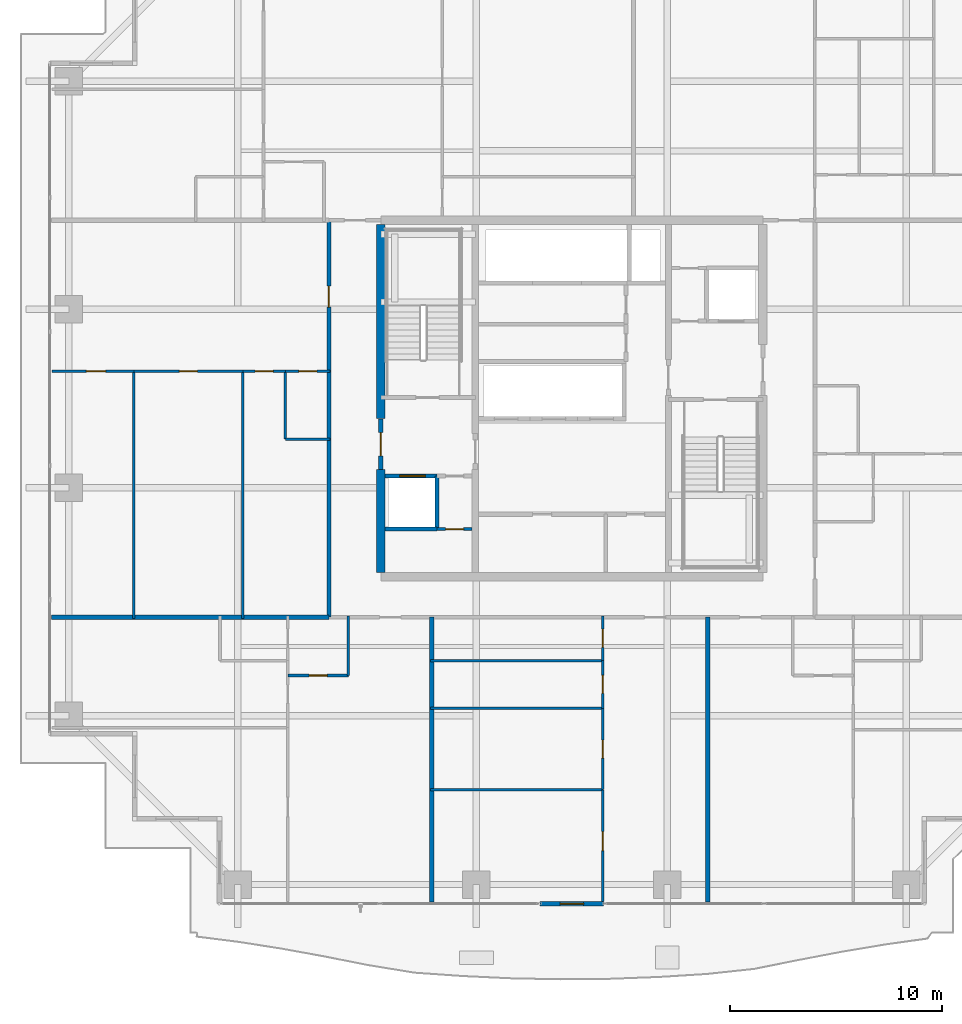
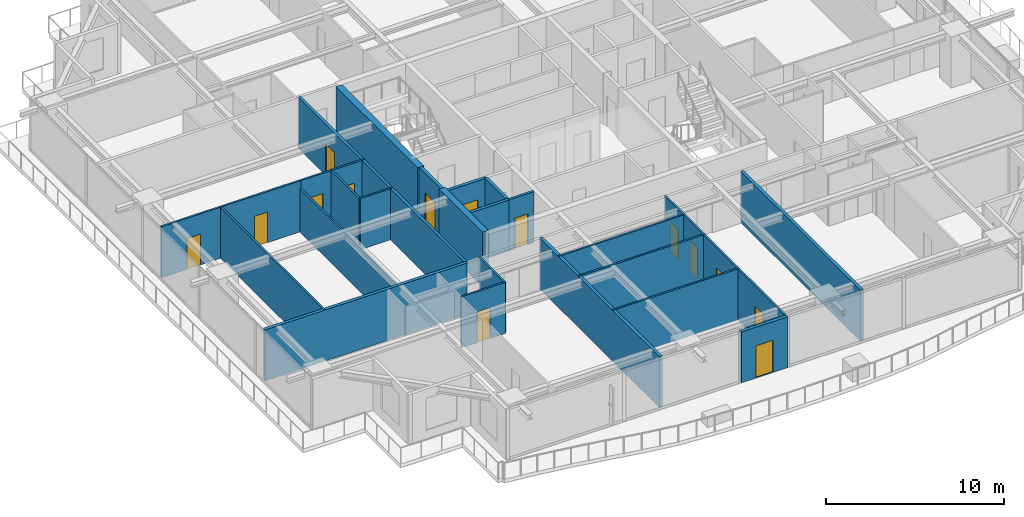
# One storey, part 25 of 35: 29 walls, 14 doors, 14 openings.
"""IFC4 building model written with IfcOpenShell, lengths in metres."""

from ifc_helpers import new_model, si_unit, direction, frame, frame_2d, origin, place, context, subcontext, project, spatial, rectangle, extrude, source, transform, mapped, material, layer, layer_set, type_object, element, fill, save


model = new_model("IFC4")

# Units and contexts
model_context = context("Model", 3, precision=1e-05, world=origin(), true_north=direction((0.0, 1.0)))
body_context = subcontext(model_context, "Body", "Model", "MODEL_VIEW")
ifc_project = project(units=[si_unit("LENGTHUNIT", "METRE"), si_unit("AREAUNIT", "SQUARE_METRE"), si_unit("VOLUMEUNIT", "CUBIC_METRE"), si_unit("PLANEANGLEUNIT", "RADIAN"), si_unit("MASSUNIT", "GRAM", prefix="KILO")], contexts=[model_context])

# Site, building, storey
site_placement = place(None, origin())
site = spatial("IfcSite", under=ifc_project, at=site_placement, CompositionType="ELEMENT")
building_placement = place(site_placement, origin())
building = spatial("IfcBuilding", under=site, at=building_placement, Name="Serunith Strait Residences", CompositionType="ELEMENT")
storey_placement = place(building_placement, frame((0.0, 0.0, 191.39990234375)))
storey = spatial("IfcBuildingStorey", under=building, at=storey_placement, Name="L48", CompositionType="ELEMENT", Elevation=191.39990234375)

# Wall, opening, door
ifc_material_1 = material(Name="Pale-Champagne Aluminium Insulated Panel", Category="aluminium")
ifc_layer_1 = layer(ifc_material_1, 0.219970703125, Name="Pale-Champagne Aluminium Insulated Panel")
ifc_layer_set_1 = layer_set([ifc_layer_1], Name="Pale-Champagne Aluminium Insulated Panel")
wall_type_1 = type_object("IfcWallType", Name="EW-ALUM-220", PredefinedType="ELEMENTEDWALL", material=ifc_layer_set_1)
wall_1_placement = place(storey_placement, frame((30.89990234375, 1.39990234375, 0.0), z_axis=(0.0, 0.0, 1.0), x_axis=(1.0, 0.0, 0.0)))
wall_1 = element("IfcWall", 1, at=wall_1_placement, inside=storey, type_object=wall_type_1, Name="L48 S Facade Pier Wall", PredefinedType="ELEMENTEDWALL", context=body_context, shape_type="SweptSolid", body=[
    extrude(rectangle(XDim=3.0, YDim=0.219970703125, at=frame_2d((1.5, 0.0))), origin(), (0.0, 0.0, 1.0), 3.47509765625),
])
opening_1_placement = place(wall_1_placement, frame((0.949951171875, 0.0, 0.0)))
opening_1 = element("IfcOpeningElement", 2, at=opening_1_placement, cuts=wall_1, Name="Opening ED-03", PredefinedType="OPENING", context=body_context, shape_type="SweptSolid", body=[
    extrude(rectangle(XDim=1.10009765625, YDim=2.199951171875, at=frame_2d((0.550048828125, 1.10009765625))), frame((0.0, 0.1201171875, 0.0), z_axis=(0.0, -1.0, 0.0), x_axis=(1.0, 0.0, 0.0)), (0.0, 0.0, 1.0), 0.239990234375),
])
ifc_material_2 = material(Name="Thermally-Broken Aluminium Glazed Balcony Door", Category="aluminium")
door_type_1 = type_object("IfcDoorType", Name="ED-BALC-1100", OperationType="NOTDEFINED", PredefinedType="DOOR", material=ifc_material_2)
shared_shape_1 = source(origin(), body_context, "Body", "SweptSolid", [
    extrude(rectangle(XDim=1.10009765625, YDim=2.199951171875, at=frame_2d((0.550048828125, 1.10009765625))), frame((0.0, 0.02490234375, 0.0), z_axis=(0.0, -1.0, 0.0), x_axis=(1.0, 0.0, 0.0)), (0.0, 0.0, 1.0), 0.050048828125),
])
door_1_placement = place(opening_1_placement, origin())
door_1 = element("IfcDoor", 3, at=door_1_placement, inside=storey, type_object=door_type_1, Name="L48 S Vertical-Forest Balcony Door", OperationType="SINGLE_SWING_LEFT", OverallHeight=2.199951171875, OverallWidth=1.10009765625, PredefinedType="DOOR", context=body_context, shape_type="MappedRepresentation", body=[
    mapped(shared_shape_1, transform((0.0, 0.0, 0.0), scale=1.0)),
])
fill(opening_1, door_1)

ifc_material_3 = material(Name="Fire-rated masonry service closet wall", Category="masonry")
ifc_layer_2 = layer(ifc_material_3, 0.14990234375, Name="Fire-rated masonry service closet wall")
ifc_layer_set_2 = layer_set([ifc_layer_2], Name="Fire-rated masonry service closet wall")
wall_type_2 = type_object("IfcWallType", Name="IW-BOH-150", PredefinedType="PARTITIONING", material=ifc_layer_set_2)
wall_2_placement = place(storey_placement, frame((26.052001953125, 19.050048828125, 0.0), z_axis=(0.0, 0.0, 1.0), x_axis=(1.0, 0.0, 0.0)))
wall_2 = element("IfcWall", 4, at=wall_2_placement, inside=storey, type_object=wall_type_2, Name="L48 Partition Wall 012", PredefinedType="PARTITIONING", context=body_context, shape_type="SweptSolid", body=[
    extrude(rectangle(XDim=1.64794921875, YDim=0.14990234375, at=frame_2d((0.823974609375, 0.0))), origin(), (0.0, 0.0, 1.0), 3.489990234375),
])
opening_2_placement = place(wall_2_placement, frame((0.39892578125, 0.0, 0.0)))
opening_2 = element("IfcOpeningElement", 5, at=opening_2_placement, cuts=wall_2, Name="Opening FD-850", PredefinedType="OPENING", context=body_context, shape_type="SweptSolid", body=[
    extrude(rectangle(XDim=0.85009765625, YDim=2.10009765625, at=frame_2d((0.425048828125, 1.050048828125))), frame((0.0, 0.0849609375, 0.0), z_axis=(0.0, -1.0, 0.0), x_axis=(1.0, 0.0, 0.0)), (0.0, 0.0, 1.0), 0.169921875),
])
ifc_material_4 = material(Name="Powder-coated steel service closet door", Category="steel")
door_type_2 = type_object("IfcDoorType", Name="FD-BOH-850", OperationType="NOTDEFINED", PredefinedType="DOOR", material=ifc_material_4)
shared_shape_2 = source(origin(), body_context, "Body", "SweptSolid", [
    extrude(rectangle(XDim=0.85009765625, YDim=2.10009765625, at=frame_2d((0.425048828125, 1.050048828125))), frame((0.0, 0.02490234375, 0.0), z_axis=(0.0, -1.0, 0.0), x_axis=(1.0, 0.0, 0.0)), (0.0, 0.0, 1.0), 0.050048828125),
])
door_2_placement = place(opening_2_placement, origin())
door_2 = element("IfcDoor", 6, at=door_2_placement, inside=storey, type_object=door_type_2, Name="L48 Water Meter Door", OperationType="SINGLE_SWING_LEFT", OverallHeight=2.10009765625, OverallWidth=0.85009765625, PredefinedType="DOOR", context=body_context, shape_type="MappedRepresentation", body=[
    mapped(shared_shape_2, transform((0.0, 0.0, 0.0), scale=1.0)),
])
fill(opening_2, door_2)

ifc_material_5 = material(Name="Fire-rated acoustic gypsum partition")
ifc_layer_3 = layer(ifc_material_5, 0.179931640625, Name="Fire-rated acoustic gypsum partition")
ifc_layer_set_3 = layer_set([ifc_layer_3], Name="Fire-rated acoustic gypsum partition")
wall_type_3 = type_object("IfcWallType", Name="IW-CORR-180", PredefinedType="PARTITIONING", material=ifc_layer_set_3)
wall_3_placement = place(storey_placement, frame((20.949951171875, 14.89990234375, 0.0), z_axis=(0.0, 0.0, 1.0), x_axis=(0.0, 1.0, 0.0)))
wall_3 = element("IfcWall", 7, at=wall_3_placement, inside=storey, type_object=wall_type_3, Name="L48 Partition Wall 028", PredefinedType="PARTITIONING", context=body_context, shape_type="SweptSolid", body=[
    extrude(rectangle(XDim=18.7001953125, YDim=0.179931640625, at=frame_2d((9.35009765625, 0.0))), origin(), (0.0, 0.0, 1.0), 3.489990234375),
])
opening_3_placement = place(wall_3_placement, frame((14.60302734375, 0.0, 0.0)))
opening_3 = element("IfcOpeningElement", 8, at=opening_3_placement, cuts=wall_3, Name="Opening D-APT1000", PredefinedType="OPENING", context=body_context, shape_type="SweptSolid", body=[
    extrude(rectangle(XDim=1.0, YDim=2.14990234375, at=frame_2d((0.5, 1.074951171875))), frame((0.0, 0.10009765625, 0.0), z_axis=(0.0, -1.0, 0.0), x_axis=(1.0, 0.0, 0.0)), (0.0, 0.0, 1.0), 0.199951171875),
])
ifc_material_6 = material(Name="Solid timber engineered fire door", Category="wood")
door_type_3 = type_object("IfcDoorType", Name="ID-APT-1000", OperationType="NOTDEFINED", PredefinedType="DOOR", material=ifc_material_6)
shared_shape_3 = source(origin(), body_context, "Body", "SweptSolid", [
    extrude(rectangle(XDim=1.0, YDim=2.14990234375, at=frame_2d((0.5, 1.074951171875))), frame((0.0, 0.02490234375, 0.0), z_axis=(0.0, -1.0, 0.0), x_axis=(1.0, 0.0, 0.0)), (0.0, 0.0, 1.0), 0.050048828125),
])
door_3_placement = place(opening_3_placement, origin())
door_3 = element("IfcDoor", 9, at=door_3_placement, inside=storey, type_object=door_type_3, Name="L48 Unit 06 Entrance Door", OperationType="SINGLE_SWING_RIGHT", OverallHeight=2.14990234375, OverallWidth=1.0, PredefinedType="DOOR", context=body_context, shape_type="MappedRepresentation", body=[
    mapped(shared_shape_3, transform((0.0, 0.0, 0.0), scale=1.0)),
])
fill(opening_3, door_3)

ifc_material_7 = material(Name="Lightweight steel-stud gypsum partition", Category="steel")
ifc_layer_4 = layer(ifc_material_7, 0.1201171875, Name="Lightweight steel-stud gypsum partition")
ifc_layer_set_4 = layer_set([ifc_layer_4], Name="Lightweight steel-stud gypsum partition")
wall_type_4 = type_object("IfcWallType", Name="IW-PART-120", PredefinedType="PARTITIONING", material=ifc_layer_set_4)
wall_4_placement = place(storey_placement, frame((19.02001953125, 12.14990234375, 0.0), z_axis=(0.0, 0.0, 1.0), x_axis=(1.0, 0.0, 0.0)))
wall_4 = element("IfcWall", 10, at=wall_4_placement, inside=storey, type_object=wall_type_4, Name="L48 Partition Wall 032", PredefinedType="PARTITIONING", context=body_context, shape_type="SweptSolid", body=[
    extrude(rectangle(XDim=2.85009765625, YDim=0.1201171875, at=frame_2d((1.425048828125, 0.0))), origin(), (0.0, 0.0, 1.0), 3.489990234375),
])
opening_4_placement = place(wall_4_placement, frame((1.0, 0.0, 0.0)))
opening_4 = element("IfcOpeningElement", 11, at=opening_4_placement, cuts=wall_4, Name="Opening D-RM850", PredefinedType="OPENING", context=body_context, shape_type="SweptSolid", body=[
    extrude(rectangle(XDim=0.85009765625, YDim=2.10009765625, at=frame_2d((0.425048828125, 1.050048828125))), frame((0.0, 0.070068359375, 0.0), z_axis=(0.0, -1.0, 0.0), x_axis=(1.0, 0.0, 0.0)), (0.0, 0.0, 1.0), 0.14013671875),
])
ifc_material_8 = material(Name="Engineered timber flush study and kitchen door", Category="wood")
door_type_4 = type_object("IfcDoorType", Name="ID-ROOM-850", OperationType="NOTDEFINED", PredefinedType="DOOR", material=ifc_material_8)
door_4_placement = place(opening_4_placement, origin())
door_4 = element("IfcDoor", 12, at=door_4_placement, inside=storey, type_object=door_type_4, Name="L48 Kitchen 4801 Door", OperationType="SINGLE_SWING_RIGHT", OverallHeight=2.10009765625, OverallWidth=0.85009765625, PredefinedType="DOOR", context=body_context, shape_type="MappedRepresentation", body=[
    mapped(shared_shape_2, transform((0.0, 0.0, 0.0), scale=1.0)),
])
fill(opening_4, door_4)

# Wall
wall_5_placement = place(storey_placement, frame((21.8701171875, 12.14990234375, 0.0), z_axis=(0.0, 0.0, 1.0), x_axis=(0.0, 1.0, 0.0)))
element("IfcWall", 13, at=wall_5_placement, inside=storey, type_object=wall_type_4, Name="L48 Partition Wall 033", PredefinedType="PARTITIONING", context=body_context, shape_type="SweptSolid", body=[
    extrude(rectangle(XDim=2.81005859375, YDim=0.1201171875, at=frame_2d((1.405029296875, 0.0))), origin(), (0.0, 0.0, 1.0), 3.489990234375),
])

# Wall, opening, door
wall_6_placement = place(storey_placement, frame((33.860107421875, 1.4951171875, 0.0), z_axis=(0.0, 0.0, 1.0), x_axis=(0.0, 1.0, 0.0)))
wall_6 = element("IfcWall", 14, at=wall_6_placement, inside=storey, type_object=wall_type_4, Name="L48 Partition Wall 040", PredefinedType="PARTITIONING", context=body_context, shape_type="SweptSolid", body=[
    extrude(rectangle(XDim=5.27099609375, YDim=0.1201171875, at=frame_2d((2.635498046875, 0.0))), origin(), (0.0, 0.0, 1.0), 3.489990234375),
])
opening_5_placement = place(wall_6_placement, frame((2.404052734375, 0.0, 0.0)))
opening_5 = element("IfcOpeningElement", 15, at=opening_5_placement, cuts=wall_6, Name="Opening D-RM900", PredefinedType="OPENING", context=body_context, shape_type="SweptSolid", body=[
    extrude(rectangle(XDim=0.89990234375, YDim=2.10009765625, at=frame_2d((0.449951171875, 1.050048828125))), frame((0.0, 0.070068359375, 0.0), z_axis=(0.0, -1.0, 0.0), x_axis=(1.0, 0.0, 0.0)), (0.0, 0.0, 1.0), 0.14013671875),
])
ifc_material_9 = material(Name="Engineered timber flush bedroom door", Category="wood")
door_type_5 = type_object("IfcDoorType", Name="ID-ROOM-900", OperationType="NOTDEFINED", PredefinedType="DOOR", material=ifc_material_9)
shared_shape_4 = source(origin(), body_context, "Body", "SweptSolid", [
    extrude(rectangle(XDim=0.89990234375, YDim=2.10009765625, at=frame_2d((0.449951171875, 1.050048828125))), frame((0.0, 0.02490234375, 0.0), z_axis=(0.0, -1.0, 0.0), x_axis=(1.0, 0.0, 0.0)), (0.0, 0.0, 1.0), 0.050048828125),
])
door_5_placement = place(opening_5_placement, origin())
door_5 = element("IfcDoor", 16, at=door_5_placement, inside=storey, type_object=door_type_5, Name="L48 Master Bedroom 1 4802 Door", OperationType="SINGLE_SWING_RIGHT", OverallHeight=2.10009765625, OverallWidth=0.89990234375, PredefinedType="DOOR", context=body_context, shape_type="MappedRepresentation", body=[
    mapped(shared_shape_4, transform((0.0, 0.0, 0.0), scale=1.0)),
])
fill(opening_5, door_5)

# Walls
for number, where, z_axis, x_axis, name in (
    (17, (25.739990234375, 6.76611328125, 0.0), (0.0, 0.0, 1.0), (1.0, 0.0, 0.0), "L48 Partition Wall 041"),
    (18, (25.739990234375, 10.60400390625, 0.0), (0.0, 0.0, 1.0), (1.0, 0.0, 0.0), "L48 Partition Wall 042"),
    (19, (25.739990234375, 12.85009765625, 0.0), (0.0, 0.0, 1.0), (1.0, 0.0, 0.0), "L48 Partition Wall 043"),
):
    element("IfcWall", number, at=place(storey_placement, frame(where, z_axis=z_axis, x_axis=x_axis)), inside=storey, type_object=wall_type_4, Name=name, PredefinedType="PARTITIONING", context=body_context, shape_type="SweptSolid", body=[
        extrude(rectangle(XDim=8.1201171875, YDim=0.1201171875, at=frame_2d((4.06005859375, 0.0))), origin(), (0.0, 0.0, 1.0), 3.489990234375),
    ])

# Wall, opening, door
wall_7_placement = place(storey_placement, frame((33.860107421875, 6.76806640625, 0.0), z_axis=(0.0, 0.0, 1.0), x_axis=(0.0, 1.0, 0.0)))
wall_7 = element("IfcWall", 20, at=wall_7_placement, inside=storey, type_object=wall_type_4, Name="L48 Partition Wall 044", PredefinedType="PARTITIONING", context=body_context, shape_type="SweptSolid", body=[
    extrude(rectangle(XDim=3.8359375, YDim=0.1201171875, at=frame_2d((1.91796875, 0.0))), origin(), (0.0, 0.0, 1.0), 3.489990234375),
])
opening_6_placement = place(wall_7_placement, frame((1.492919921875, 0.0, 0.0)))
opening_6 = element("IfcOpeningElement", 21, at=opening_6_placement, cuts=wall_7, Name="Opening D-RM850", PredefinedType="OPENING", context=body_context, shape_type="SweptSolid", body=[
    extrude(rectangle(XDim=0.85009765625, YDim=2.10009765625, at=frame_2d((0.425048828125, 1.050048828125))), frame((0.0, 0.070068359375, 0.0), z_axis=(0.0, -1.0, 0.0), x_axis=(1.0, 0.0, 0.0)), (0.0, 0.0, 1.0), 0.14013671875),
])
door_6_placement = place(opening_6_placement, origin())
door_6 = element("IfcDoor", 22, at=door_6_placement, inside=storey, type_object=door_type_4, Name="L48 Dining 4802 Door", OperationType="SINGLE_SWING_LEFT", OverallHeight=2.10009765625, OverallWidth=0.85009765625, PredefinedType="DOOR", context=body_context, shape_type="MappedRepresentation", body=[
    mapped(shared_shape_2, transform((0.0, 0.0, 0.0), scale=1.0)),
])
fill(opening_6, door_6)

wall_8_placement = place(storey_placement, frame((33.860107421875, 10.60595703125, 0.0), z_axis=(0.0, 0.0, 1.0), x_axis=(0.0, 1.0, 0.0)))
wall_8 = element("IfcWall", 23, at=wall_8_placement, inside=storey, type_object=wall_type_4, Name="L48 Partition Wall 045", PredefinedType="PARTITIONING", context=body_context, shape_type="SweptSolid", body=[
    extrude(rectangle(XDim=2.244140625, YDim=0.1201171875, at=frame_2d((1.1220703125, 0.0))), origin(), (0.0, 0.0, 1.0), 3.489990234375),
])
opening_7_placement = place(wall_8_placement, frame((0.697021484375, 0.0, 0.0)))
opening_7 = element("IfcOpeningElement", 24, at=opening_7_placement, cuts=wall_8, Name="Opening D-RM850", PredefinedType="OPENING", context=body_context, shape_type="SweptSolid", body=[
    extrude(rectangle(XDim=0.85009765625, YDim=2.10009765625, at=frame_2d((0.425048828125, 1.050048828125))), frame((0.0, 0.070068359375, 0.0), z_axis=(0.0, -1.0, 0.0), x_axis=(1.0, 0.0, 0.0)), (0.0, 0.0, 1.0), 0.14013671875),
])
door_7_placement = place(opening_7_placement, origin())
door_7 = element("IfcDoor", 25, at=door_7_placement, inside=storey, type_object=door_type_4, Name="L48 Kitchen 4802 Door", OperationType="SINGLE_SWING_RIGHT", OverallHeight=2.10009765625, OverallWidth=0.85009765625, PredefinedType="DOOR", context=body_context, shape_type="MappedRepresentation", body=[
    mapped(shared_shape_2, transform((0.0, 0.0, 0.0), scale=1.0)),
])
fill(opening_7, door_7)

wall_9_placement = place(storey_placement, frame((33.860107421875, 12.85205078125, 0.0), z_axis=(0.0, 0.0, 1.0), x_axis=(0.0, 1.0, 0.0)))
wall_9 = element("IfcWall", 26, at=wall_9_placement, inside=storey, type_object=wall_type_4, Name="L48 Partition Wall 046", PredefinedType="PARTITIONING", context=body_context, shape_type="SweptSolid", body=[
    extrude(rectangle(XDim=2.10791015625, YDim=0.1201171875, at=frame_2d((1.053955078125, 0.0))), origin(), (0.0, 0.0, 1.0), 3.489990234375),
])
opening_8_placement = place(wall_9_placement, frame((0.62890625, 0.0, 0.0)))
opening_8 = element("IfcOpeningElement", 27, at=opening_8_placement, cuts=wall_9, Name="Opening D-BTH850", PredefinedType="OPENING", context=body_context, shape_type="SweptSolid", body=[
    extrude(rectangle(XDim=0.85009765625, YDim=2.10009765625, at=frame_2d((0.425048828125, 1.050048828125))), frame((0.0, 0.070068359375, 0.0), z_axis=(0.0, -1.0, 0.0), x_axis=(1.0, 0.0, 0.0)), (0.0, 0.0, 1.0), 0.14013671875),
])
ifc_material_10 = material(Name="Moisture-resistant timber bathroom door", Category="wood")
door_type_6 = type_object("IfcDoorType", Name="ID-BATH-850", OperationType="NOTDEFINED", PredefinedType="DOOR", material=ifc_material_10)
door_8_placement = place(opening_8_placement, origin())
door_8 = element("IfcDoor", 28, at=door_8_placement, inside=storey, type_object=door_type_6, Name="L48 Bathroom 4802 Door", OperationType="SINGLE_SWING_LEFT", OverallHeight=2.10009765625, OverallWidth=0.85009765625, PredefinedType="DOOR", context=body_context, shape_type="MappedRepresentation", body=[
    mapped(shared_shape_2, transform((0.0, 0.0, 0.0), scale=1.0)),
])
fill(opening_8, door_8)

wall_10_placement = place(storey_placement, frame((7.89501953125, 26.489990234375, 0.0), z_axis=(0.0, 0.0, 1.0), x_axis=(1.0, 0.0, 0.0)))
wall_10 = element("IfcWall", 29, at=wall_10_placement, inside=storey, type_object=wall_type_4, Name="L48 Partition Wall 081", PredefinedType="PARTITIONING", context=body_context, shape_type="SweptSolid", body=[
    extrude(rectangle(XDim=3.864013671875, YDim=0.1201171875, at=frame_2d((1.93212890625, 0.0))), origin(), (0.0, 0.0, 1.0), 3.489990234375),
])
opening_9_placement = place(wall_10_placement, frame((1.6298828125, 0.0, 0.0)))
opening_9 = element("IfcOpeningElement", 30, at=opening_9_placement, cuts=wall_10, Name="Opening D-RM900", PredefinedType="OPENING", context=body_context, shape_type="SweptSolid", body=[
    extrude(rectangle(XDim=0.89990234375, YDim=2.10009765625, at=frame_2d((0.449951171875, 1.050048828125))), frame((0.0, 0.070068359375, 0.0), z_axis=(0.0, -1.0, 0.0), x_axis=(1.0, 0.0, 0.0)), (0.0, 0.0, 1.0), 0.14013671875),
])
door_9_placement = place(opening_9_placement, origin())
door_9 = element("IfcDoor", 31, at=door_9_placement, inside=storey, type_object=door_type_5, Name="L48 Master Bedroom 1 4806 Door", OperationType="SINGLE_SWING_RIGHT", OverallHeight=2.10009765625, OverallWidth=0.89990234375, PredefinedType="DOOR", context=body_context, shape_type="MappedRepresentation", body=[
    mapped(shared_shape_4, transform((0.0, 0.0, 0.0), scale=1.0)),
])
fill(opening_9, door_9)

# Walls
wall_11_placement = place(storey_placement, frame((11.759033203125, 14.840087890625, 0.0), z_axis=(0.0, 0.0, 1.0), x_axis=(0.0, 1.0, 0.0)))
element("IfcWall", 32, at=wall_11_placement, inside=storey, type_object=wall_type_4, Name="L48 Partition Wall 082", PredefinedType="PARTITIONING", context=body_context, shape_type="SweptSolid", body=[
    extrude(rectangle(XDim=11.64990234375, YDim=0.1201171875, at=frame_2d((5.824951171875, 0.0))), origin(), (0.0, 0.0, 1.0), 3.489990234375),
])
wall_12_placement = place(storey_placement, frame((16.89990234375, 14.840087890625, 0.0), z_axis=(0.0, 0.0, 1.0), x_axis=(0.0, 1.0, 0.0)))
element("IfcWall", 33, at=wall_12_placement, inside=storey, type_object=wall_type_4, Name="L48 Partition Wall 083", PredefinedType="PARTITIONING", context=body_context, shape_type="SweptSolid", body=[
    extrude(rectangle(XDim=11.64990234375, YDim=0.1201171875, at=frame_2d((5.824951171875, 0.0))), origin(), (0.0, 0.0, 1.0), 2.97216796875),
])
wall_13_placement = place(storey_placement, frame((18.89990234375, 23.2900390625, 0.0), z_axis=(0.0, 0.0, 1.0), x_axis=(0.0, 1.0, 0.0)))
element("IfcWall", 34, at=wall_13_placement, inside=storey, type_object=wall_type_4, Name="L48 Partition Wall 084", PredefinedType="PARTITIONING", context=body_context, shape_type="SweptSolid", body=[
    extrude(rectangle(XDim=3.199951171875, YDim=0.1201171875, at=frame_2d((1.60009765625, 0.0))), origin(), (0.0, 0.0, 1.0), 3.489990234375),
])
wall_14_placement = place(storey_placement, frame((18.89990234375, 23.2900390625, 0.0), z_axis=(0.0, 0.0, 1.0), x_axis=(1.0, 0.0, 0.0)))
element("IfcWall", 35, at=wall_14_placement, inside=storey, type_object=wall_type_4, Name="L48 Partition Wall 085", PredefinedType="PARTITIONING", context=body_context, shape_type="SweptSolid", body=[
    extrude(rectangle(XDim=2.110107421875, YDim=0.1201171875, at=frame_2d((1.05517578125, 0.0))), origin(), (0.0, 0.0, 1.0), 3.489990234375),
])

# Wall, opening, door
wall_15_placement = place(storey_placement, frame((11.760986328125, 26.489990234375, 0.0), z_axis=(0.0, 0.0, 1.0), x_axis=(1.0, 0.0, 0.0)))
wall_15 = element("IfcWall", 36, at=wall_15_placement, inside=storey, type_object=wall_type_4, Name="L48 Partition Wall 086", PredefinedType="PARTITIONING", context=body_context, shape_type="SweptSolid", body=[
    extrude(rectangle(XDim=5.138916015625, YDim=0.1201171875, at=frame_2d((2.5693359375, 0.0))), origin(), (0.0, 0.0, 1.0), 3.489990234375),
])
opening_10_placement = place(wall_15_placement, frame((2.14404296875, 0.0, 0.0)))
opening_10 = element("IfcOpeningElement", 37, at=opening_10_placement, cuts=wall_15, Name="Opening D-RM850", PredefinedType="OPENING", context=body_context, shape_type="SweptSolid", body=[
    extrude(rectangle(XDim=0.85009765625, YDim=2.10009765625, at=frame_2d((0.425048828125, 1.050048828125))), frame((0.0, 0.070068359375, 0.0), z_axis=(0.0, -1.0, 0.0), x_axis=(1.0, 0.0, 0.0)), (0.0, 0.0, 1.0), 0.14013671875),
])
door_10_placement = place(opening_10_placement, origin())
door_10 = element("IfcDoor", 38, at=door_10_placement, inside=storey, type_object=door_type_4, Name="L48 Dining 4806 Door", OperationType="SINGLE_SWING_LEFT", OverallHeight=2.10009765625, OverallWidth=0.85009765625, PredefinedType="DOOR", context=body_context, shape_type="MappedRepresentation", body=[
    mapped(shared_shape_2, transform((0.0, 0.0, 0.0), scale=1.0)),
])
fill(opening_10, door_10)

wall_16_placement = place(storey_placement, frame((16.902099609375, 26.489990234375, 0.0), z_axis=(0.0, 0.0, 1.0), x_axis=(1.0, 0.0, 0.0)))
wall_16 = element("IfcWall", 39, at=wall_16_placement, inside=storey, type_object=wall_type_4, Name="L48 Partition Wall 087", PredefinedType="PARTITIONING", context=body_context, shape_type="SweptSolid", body=[
    extrude(rectangle(XDim=1.997802734375, YDim=0.1201171875, at=frame_2d((0.9990234375, 0.0))), origin(), (0.0, 0.0, 1.0), 3.489990234375),
])
opening_11_placement = place(wall_16_placement, frame((0.573974609375, 0.0, 0.0)))
opening_11 = element("IfcOpeningElement", 40, at=opening_11_placement, cuts=wall_16, Name="Opening D-RM850", PredefinedType="OPENING", context=body_context, shape_type="SweptSolid", body=[
    extrude(rectangle(XDim=0.85009765625, YDim=2.10009765625, at=frame_2d((0.425048828125, 1.050048828125))), frame((0.0, 0.070068359375, 0.0), z_axis=(0.0, -1.0, 0.0), x_axis=(1.0, 0.0, 0.0)), (0.0, 0.0, 1.0), 0.14013671875),
])
door_11_placement = place(opening_11_placement, origin())
door_11 = element("IfcDoor", 41, at=door_11_placement, inside=storey, type_object=door_type_4, Name="L48 Kitchen 4806 Door", OperationType="SINGLE_SWING_RIGHT", OverallHeight=2.10009765625, OverallWidth=0.85009765625, PredefinedType="DOOR", context=body_context, shape_type="MappedRepresentation", body=[
    mapped(shared_shape_2, transform((0.0, 0.0, 0.0), scale=1.0)),
])
fill(opening_11, door_11)

wall_17_placement = place(storey_placement, frame((18.902099609375, 26.489990234375, 0.0), z_axis=(0.0, 0.0, 1.0), x_axis=(1.0, 0.0, 0.0)))
wall_17 = element("IfcWall", 42, at=wall_17_placement, inside=storey, type_object=wall_type_4, Name="L48 Partition Wall 088", PredefinedType="PARTITIONING", context=body_context, shape_type="SweptSolid", body=[
    extrude(rectangle(XDim=2.10791015625, YDim=0.1201171875, at=frame_2d((1.053955078125, 0.0))), origin(), (0.0, 0.0, 1.0), 3.489990234375),
])
opening_12_placement = place(wall_17_placement, frame((0.62890625, 0.0, 0.0)))
opening_12 = element("IfcOpeningElement", 43, at=opening_12_placement, cuts=wall_17, Name="Opening D-BTH850", PredefinedType="OPENING", context=body_context, shape_type="SweptSolid", body=[
    extrude(rectangle(XDim=0.85009765625, YDim=2.10009765625, at=frame_2d((0.425048828125, 1.050048828125))), frame((0.0, 0.070068359375, 0.0), z_axis=(0.0, -1.0, 0.0), x_axis=(1.0, 0.0, 0.0)), (0.0, 0.0, 1.0), 0.14013671875),
])
door_12_placement = place(opening_12_placement, origin())
door_12 = element("IfcDoor", 44, at=door_12_placement, inside=storey, type_object=door_type_6, Name="L48 Bathroom 4806 Door", OperationType="SINGLE_SWING_LEFT", OverallHeight=2.10009765625, OverallWidth=0.85009765625, PredefinedType="DOOR", context=body_context, shape_type="MappedRepresentation", body=[
    mapped(shared_shape_2, transform((0.0, 0.0, 0.0), scale=1.0)),
])
fill(opening_12, door_12)

# Walls
ifc_material_11 = material(Name="Twin-stud acoustic gypsum board partition")
ifc_layer_5 = layer(ifc_material_11, 0.199951171875, Name="Twin-stud acoustic gypsum board partition")
ifc_layer_set_5 = layer_set([ifc_layer_5], Name="Twin-stud acoustic gypsum board partition")
wall_type_5 = type_object("IfcWallType", Name="IW-PARTY-200", PredefinedType="PARTITIONING", material=ifc_layer_set_5)
for number, where, z_axis, x_axis, name in (
    (45, (25.800048828125, 1.48193359375, 0.0), (0.0, 0.0, 1.0), (0.0, 1.0, 0.0), "L48 Partition Wall 020"),
    (46, (38.800048828125, 1.48193359375, 0.0), (0.0, 0.0, 1.0), (0.0, 1.0, 0.0), "L48 Partition Wall 021"),
):
    element("IfcWall", number, at=place(storey_placement, frame(where, z_axis=z_axis, x_axis=x_axis)), inside=storey, type_object=wall_type_5, Name=name, PredefinedType="PARTITIONING", context=body_context, shape_type="SweptSolid", body=[
        extrude(rectangle(XDim=13.41796875, YDim=0.199951171875, at=frame_2d((6.708984375, 0.0))), origin(), (0.0, 0.0, 1.0), 3.489990234375),
    ])
wall_18_placement = place(storey_placement, frame((7.882080078125, 14.89990234375, 0.0), z_axis=(0.0, 0.0, 1.0), x_axis=(1.0, 0.0, 0.0)))
element("IfcWall", 47, at=wall_18_placement, inside=storey, type_object=wall_type_5, Name="L48 Partition Wall 023", PredefinedType="PARTITIONING", context=body_context, shape_type="SweptSolid", body=[
    extrude(rectangle(XDim=13.06787109375, YDim=0.199951171875, at=frame_2d((6.533935546875, 0.0))), origin(), (0.0, 0.0, 1.0), 3.489990234375),
])

# Wall, opening, door
ifc_material_12 = material(Name="Autoclaved aerated concrete blockwork", Category="masonry")
ifc_layer_6 = layer(ifc_material_12, 0.199951171875, Name="Autoclaved aerated concrete blockwork")
ifc_layer_set_6 = layer_set([ifc_layer_6], Name="Autoclaved aerated concrete blockwork")
wall_type_6 = type_object("IfcWallType", Name="IW-SHAFT-200", PredefinedType="STANDARD", material=ifc_layer_set_6)
wall_19_placement = place(storey_placement, frame((23.60009765625, 21.550048828125, 0.0), z_axis=(0.0, 0.0, 1.0), x_axis=(1.0, 0.0, 0.0)))
wall_19 = element("IfcWall", 48, at=wall_19_placement, inside=storey, type_object=wall_type_6, Name="L48 FL-1 North Shaft Wall", PredefinedType="STANDARD", context=body_context, shape_type="SweptSolid", body=[
    extrude(rectangle(XDim=2.449951171875, YDim=0.199951171875, at=frame_2d((1.22509765625, 0.0))), origin(), (0.0, 0.0, 1.0), 3.489990234375),
])
opening_13_placement = place(wall_19_placement, frame((0.699951171875, 0.0, 0.0)))
opening_13 = element("IfcOpeningElement", 49, at=opening_13_placement, cuts=wall_19, Name="Opening LD-FF1200", PredefinedType="OPENING", context=body_context, shape_type="SweptSolid", body=[
    extrude(rectangle(XDim=1.199951171875, YDim=2.199951171875, at=frame_2d((0.60009765625, 1.10009765625))), frame((0.0, 0.10986328125, 0.0), z_axis=(0.0, -1.0, 0.0), x_axis=(1.0, 0.0, 0.0)), (0.0, 0.0, 1.0), 0.219970703125),
])
ifc_material_13 = material(Name="Brushed stainless steel landing door", Category="steel")
door_type_7 = type_object("IfcDoorType", Name="LD-FF-1200", OperationType="DOUBLE_DOOR_SLIDING", PredefinedType="DOOR", material=ifc_material_13)
shared_shape_5 = source(origin(), body_context, "Body", "SweptSolid", [
    extrude(rectangle(XDim=1.199951171875, YDim=2.199951171875, at=frame_2d((0.60009765625, 1.10009765625))), frame((0.0, 0.02490234375, 0.0), z_axis=(0.0, -1.0, 0.0), x_axis=(1.0, 0.0, 0.0)), (0.0, 0.0, 1.0), 0.050048828125),
])
door_13_placement = place(opening_13_placement, origin())
door_13 = element("IfcDoor", 50, at=door_13_placement, inside=storey, type_object=door_type_7, Name="L48 FL-1 Landing Door", OperationType="DOUBLE_DOOR_SLIDING", OverallHeight=2.199951171875, OverallWidth=1.199951171875, PredefinedType="DOOR", context=body_context, shape_type="MappedRepresentation", body=[
    mapped(shared_shape_5, transform((0.0, 0.0, 0.0), scale=1.0)),
])
fill(opening_13, door_13)

# Walls
wall_20_placement = place(storey_placement, frame((26.050048828125, 19.050048828125, 0.0), z_axis=(0.0, 0.0, 1.0), x_axis=(0.0, 1.0, 0.0)))
element("IfcWall", 51, at=wall_20_placement, inside=storey, type_object=wall_type_6, Name="L48 Partition Wall 001", PredefinedType="STANDARD", context=body_context, shape_type="SweptSolid", body=[
    extrude(rectangle(XDim=2.5, YDim=0.199951171875, at=frame_2d((1.25, 0.0))), origin(), (0.0, 0.0, 1.0), 3.489990234375),
])
wall_21_placement = place(storey_placement, frame((23.60009765625, 19.050048828125, 0.0), z_axis=(0.0, 0.0, 1.0), x_axis=(1.0, 0.0, 0.0)))
element("IfcWall", 52, at=wall_21_placement, inside=storey, type_object=wall_type_6, Name="L48 Partition Wall 002", PredefinedType="STANDARD", context=body_context, shape_type="SweptSolid", body=[
    extrude(rectangle(XDim=2.449951171875, YDim=0.199951171875, at=frame_2d((1.22509765625, 0.0))), origin(), (0.0, 0.0, 1.0), 3.489990234375),
])

# Wall, opening, door
wall_22_placement = place(storey_placement, frame((23.39990234375, 21.85205078125, 0.0), z_axis=(0.0, 0.0, 1.0), x_axis=(0.0, 1.0, 0.0)))
wall_22 = element("IfcWall", 53, at=wall_22_placement, inside=storey, type_object=wall_type_6, Name="L48 Partition Wall 007", PredefinedType="STANDARD", context=body_context, shape_type="SweptSolid", body=[
    extrude(rectangle(XDim=2.39599609375, YDim=0.199951171875, at=frame_2d((1.197998046875, 0.0))), origin(), (0.0, 0.0, 1.0), 3.489990234375),
])
opening_14_placement = place(wall_22_placement, frame((0.64794921875, 0.0, 0.0)))
opening_14 = element("IfcOpeningElement", 54, at=opening_14_placement, cuts=wall_22, Name="Opening FD-FFL", PredefinedType="OPENING", context=body_context, shape_type="SweptSolid", body=[
    extrude(rectangle(XDim=1.10009765625, YDim=2.14990234375, at=frame_2d((0.550048828125, 1.074951171875))), frame((0.0, 0.10986328125, 0.0), z_axis=(0.0, -1.0, 0.0), x_axis=(1.0, 0.0, 0.0)), (0.0, 0.0, 1.0), 0.219970703125),
])
ifc_material_14 = material(Name="Glazed steel smoke-lobby fire door", Category="steel")
door_type_8 = type_object("IfcDoorType", Name="FD-FFL-1100", OperationType="NOTDEFINED", PredefinedType="DOOR", material=ifc_material_14)
shared_shape_6 = source(origin(), body_context, "Body", "SweptSolid", [
    extrude(rectangle(XDim=1.10009765625, YDim=2.14990234375, at=frame_2d((0.550048828125, 1.074951171875))), frame((0.0, 0.02490234375, 0.0), z_axis=(0.0, -1.0, 0.0), x_axis=(1.0, 0.0, 0.0)), (0.0, 0.0, 1.0), 0.050048828125),
])
door_14_placement = place(opening_14_placement, origin())
door_14 = element("IfcDoor", 55, at=door_14_placement, inside=storey, type_object=door_type_8, Name="L48 FFL-1 Corridor Fire Door", OperationType="SINGLE_SWING_LEFT", OverallHeight=2.14990234375, OverallWidth=1.10009765625, PredefinedType="DOOR", context=body_context, shape_type="MappedRepresentation", body=[
    mapped(shared_shape_6, transform((0.0, 0.0, 0.0), scale=1.0)),
])
fill(opening_14, door_14)

# Walls
ifc_material_15 = material(Name="Concrete C70/85", Category="concrete")
ifc_layer_7 = layer(ifc_material_15, 0.39990234375, Name="Concrete C70/85")
ifc_layer_set_7 = layer_set([ifc_layer_7], Name="Concrete C70/85")
wall_type_7 = type_object("IfcWallType", Name="SW-400-C70", PredefinedType="SHEAR", material=ifc_layer_set_7)
wall_23_placement = place(storey_placement, frame((23.39990234375, 17.0, -0.260009765625), z_axis=(0.0, 0.0, 1.0), x_axis=(0.0, 1.0, 0.0)))
element("IfcWall", 56, at=wall_23_placement, inside=storey, type_object=wall_type_7, Name="L48 Core West Shear Wall South Pier", PredefinedType="SHEAR", context=body_context, shape_type="SweptSolid", body=[
    extrude(rectangle(XDim=4.85009765625, YDim=0.39990234375, at=frame_2d((2.425048828125, 0.0))), origin(), (0.0, 0.0, 1.0), 3.748046875),
])
wall_24_placement = place(storey_placement, frame((23.39990234375, 24.25, -0.260009765625), z_axis=(0.0, 0.0, 1.0), x_axis=(0.0, 1.0, 0.0)))
element("IfcWall", 57, at=wall_24_placement, inside=storey, type_object=wall_type_7, Name="L48 Core West Shear Wall North Pier", PredefinedType="SHEAR", context=body_context, shape_type="SweptSolid", body=[
    extrude(rectangle(XDim=9.14990234375, YDim=0.39990234375, at=frame_2d((4.574951171875, 0.0))), origin(), (0.0, 0.0, 1.0), 3.748046875),
])

save(model, "model.ifc")
